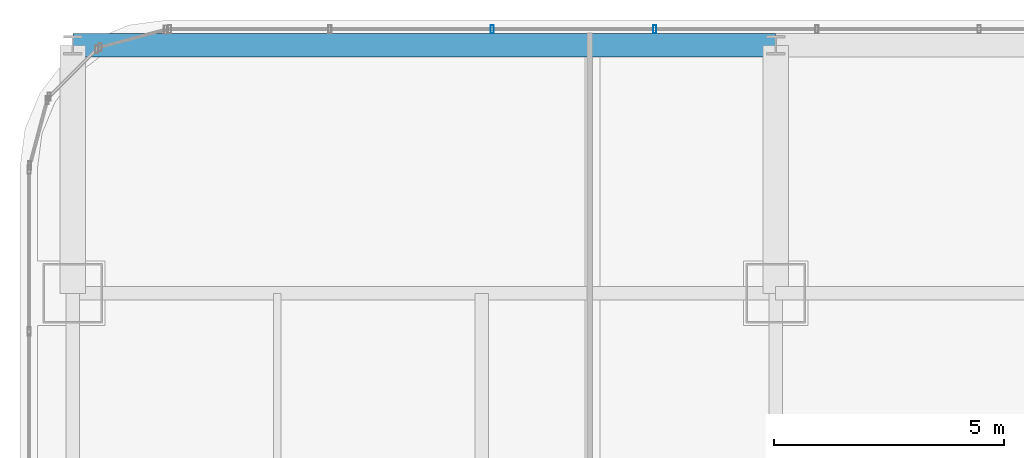
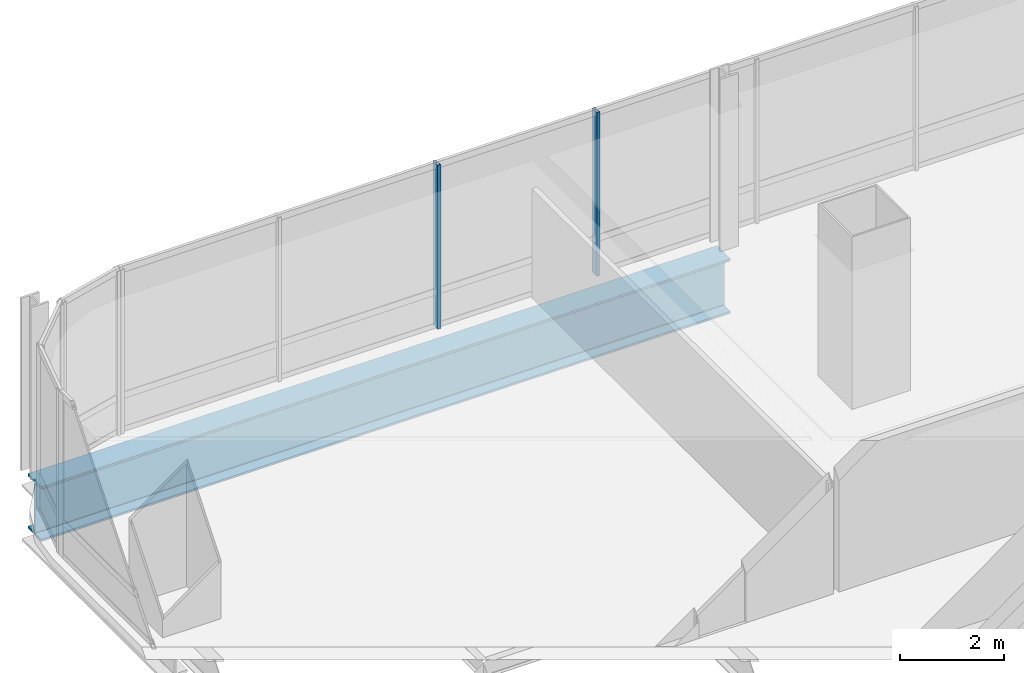
# One storey, part 25 of 40: 2 members, 1 beam, 1 element without a shape of its own.
"""IFC4 building model written with IfcOpenShell, lengths in metres."""

from ifc_helpers import new_model, si_unit, direction, frame, origin, origin_2d, place, context, subcontext, project, spatial, hollow_rectangle, i_section, extrude, material, material_profile, profile_set, type_object, element, aggregate, save


model = new_model("IFC4")

# Units and contexts
model_context = context("Model", 3, precision=1e-05, world=origin(), true_north=direction((0.0, 1.0)))
body_context = subcontext(model_context, "Body", "Model", "MODEL_VIEW")
ifc_project = project(units=[si_unit("LENGTHUNIT", "METRE"), si_unit("AREAUNIT", "SQUARE_METRE"), si_unit("VOLUMEUNIT", "CUBIC_METRE"), si_unit("PLANEANGLEUNIT", "RADIAN"), si_unit("MASSUNIT", "GRAM", prefix="KILO")], contexts=[model_context])

# Site, building, storey
site_placement = place(None, origin())
site = spatial("IfcSite", under=ifc_project, at=site_placement, CompositionType="ELEMENT")
building_placement = place(site_placement, origin())
building = spatial("IfcBuilding", under=site, at=building_placement, Name="Punatoya Terracotta Tower", CompositionType="ELEMENT")
storey_placement = place(building_placement, frame((0.0, 0.0, 271.64990234375)))
storey = spatial("IfcBuildingStorey", under=building, at=storey_placement, Name="L64", CompositionType="ELEMENT", Elevation=271.64990234375)

# Beam
ifc_material_1 = material(Name="Steel S460", Category="steel")
ifc_material_profile_1 = material_profile(ifc_material_1, i_section(OverallWidth=0.52001953125, OverallDepth=1.280029296875, WebThickness=0.031982421875, FlangeThickness=0.050048828125, FilletRadius=0.01806640625, at=origin_2d()))
ifc_profile_set_1 = profile_set([ifc_material_profile_1], Name="Steel S460")
beam_type = type_object("IfcBeamType", Name="BM-TG-NCK", PredefinedType="BEAM", material=ifc_profile_set_1)
beam_placement = place(storey_placement, frame((-19.10009765625, 22.89990234375, -0.83984375), z_axis=(1.0, 0.0, 0.0), x_axis=(0.0, 1.0, 0.0)))
element("IfcBeam", 1, at=beam_placement, inside=storey, type_object=beam_type, Name="BM-L64-PER-N1", PredefinedType="BEAM", context=body_context, shape_type="SweptSolid", body=[
    extrude(i_section(OverallWidth=0.52001953125, OverallDepth=1.280029296875, WebThickness=0.031982421875, FlangeThickness=0.050048828125, FilletRadius=0.01806640625, at=origin_2d()), origin(), (0.0, 0.0, 1.0), 15.300048828125),
])

# Curtain wall, members
ifc_material_2 = material(Name="Aluminium 6063-T6 + Double Low-E Glass", Category="aluminium")
curtain_wall_type = type_object("IfcCurtainWallType", Name="CW-M3", PredefinedType="NOTDEFINED", material=ifc_material_2)
curtain_wall_placement = place(storey_placement, origin())
curtain_wall = element("IfcCurtainWall", 2, at=curtain_wall_placement, inside=storey, type_object=curtain_wall_type, Name="L64 Curtain Wall CW-L64-N09-1", PredefinedType="NOTDEFINED")
ifc_material_3 = material(Name="Aluminium 6063-T6", Category="aluminium")
ifc_material_profile_2 = material_profile(ifc_material_3, hollow_rectangle(XDim=0.070068359375, YDim=0.179931640625, WallThickness=0.00390625, at=origin_2d()))
ifc_profile_set_2 = profile_set([ifc_material_profile_2], Name="Aluminium 6063-T6")
member_type = type_object("IfcMemberType", Name="CW-MUL-M3", PredefinedType="MULLION", material=ifc_profile_set_2)
member_1_placement = place(storey_placement, frame((-6.43505859375, 23.25, 0.0), z_axis=(0.0, 0.0, 1.0), x_axis=(1.0, 0.0, 0.0)))
member_1 = element("IfcMember", 3, at=member_1_placement, type_object=member_type, Name="CW-L64-N09-1 Mullion 08", PredefinedType="MULLION", context=body_context, shape_type="SweptSolid", body=[
    extrude(hollow_rectangle(XDim=0.070068359375, YDim=0.179931640625, WallThickness=0.00390625, at=origin_2d()), origin(), (0.0, 0.0, 1.0), 3.85009765625),
])
member_2_placement = place(storey_placement, frame((-9.968994140625, 23.25, 0.0), z_axis=(0.0, 0.0, 1.0), x_axis=(1.0, 0.0, 0.0)))
member_2 = element("IfcMember", 4, at=member_2_placement, type_object=member_type, Name="CW-L64-N09-1 Mullion 09", PredefinedType="MULLION", context=body_context, shape_type="SweptSolid", body=[
    extrude(hollow_rectangle(XDim=0.070068359375, YDim=0.179931640625, WallThickness=0.00390625, at=origin_2d()), origin(), (0.0, 0.0, 1.0), 3.85009765625),
])
aggregate(curtain_wall, [member_1, member_2])

save(model, "model.ifc")
